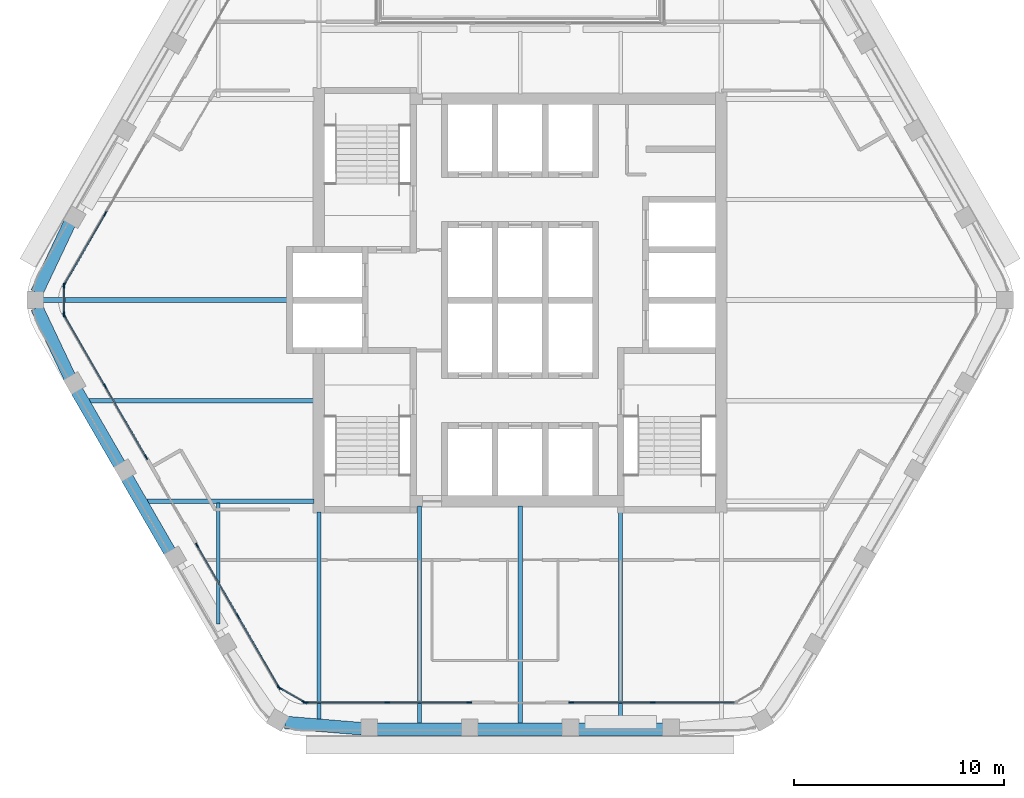
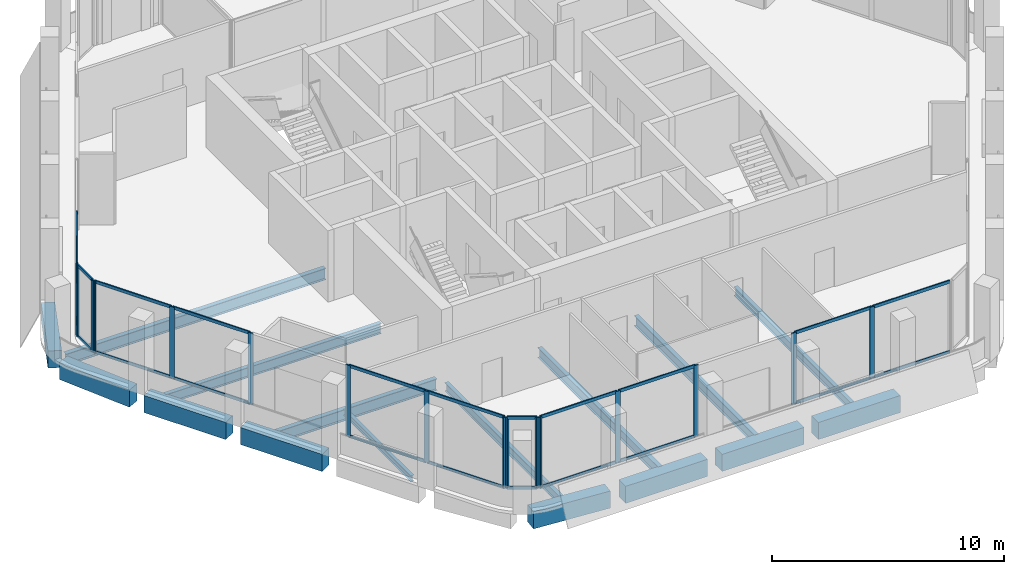
# One storey, part 2 of 16: 39 members, 16 beams, 7 elements without a shape of their own.
"""IFC4 building model written with IfcOpenShell, lengths in metres."""

from ifc_helpers import new_model, si_unit, direction, frame, origin, origin_2d, place, context, subcontext, project, spatial, rectangle, i_section, extrude, material, material_profile, profile_set, type_object, element, aggregate, save


model = new_model("IFC4")

# Units and contexts
model_context = context("Model", 3, precision=1e-05, world=origin(), true_north=direction((0.0, 1.0)))
body_context = subcontext(model_context, "Body", "Model", "MODEL_VIEW")
ifc_project = project(units=[si_unit("LENGTHUNIT", "METRE"), si_unit("AREAUNIT", "SQUARE_METRE"), si_unit("VOLUMEUNIT", "CUBIC_METRE"), si_unit("PLANEANGLEUNIT", "RADIAN"), si_unit("MASSUNIT", "GRAM", prefix="KILO")], contexts=[model_context])

# Site, building, storey
site_placement = place(None, origin())
site = spatial("IfcSite", under=ifc_project, at=site_placement, CompositionType="ELEMENT")
building_placement = place(site_placement, origin())
building = spatial("IfcBuilding", under=site, at=building_placement, Name="Kolab Exchange Tower", CompositionType="ELEMENT")
storey_placement = place(building_placement, frame((0.0, 0.0, 269.60009765625)))
storey = spatial("IfcBuildingStorey", under=building, at=storey_placement, Name="L60", CompositionType="ELEMENT", Elevation=269.60009765625)

# Beams
ifc_material_1 = material(Name="Steel S355", Category="steel")
ifc_material_profile_1 = material_profile(ifc_material_1, i_section(OverallWidth=0.1650390625, OverallDepth=0.31005859375, WebThickness=0.005859375, FlangeThickness=0.009765625, at=origin_2d()), Name="W310X39")
ifc_profile_set_1 = profile_set([ifc_material_profile_1], Name="Steel S355")
beam_type_1 = type_object("IfcBeamType", Name="FLOOR BEAM W310X39", PredefinedType="BEAM", material=ifc_profile_set_1)
beam_1_placement = place(storey_placement, frame((-14.39990234375, -15.4677734375, -0.30517578125), z_axis=(0.0, 1.0, 0.0), x_axis=(-1.0, 0.0, 0.0)))
element("IfcBeam", 1, at=beam_1_placement, inside=storey, type_object=beam_type_1, Name="beam/L60/fr/003", PredefinedType="BEAM", context=body_context, shape_type="SweptSolid", body=[
    extrude(i_section(OverallWidth=0.1650390625, OverallDepth=0.31005859375, WebThickness=0.005859375, FlangeThickness=0.009765625, at=origin_2d()), origin(), (0.0, 0.0, 1.0), 5.793701171875),
])
ifc_material_profile_2 = material_profile(ifc_material_1, i_section(OverallWidth=0.18994140625, OverallDepth=0.45703125, WebThickness=0.009033203125, FlangeThickness=0.014404296875, at=origin_2d()), Name="W460X74")
ifc_profile_set_2 = profile_set([ifc_material_profile_2], Name="Steel S355")
beam_type_2 = type_object("IfcBeamType", Name="FLOOR BEAM W460X74", PredefinedType="BEAM", material=ifc_profile_set_2)
beam_2_placement = place(storey_placement, frame((-9.60009765625, -20.027099609375, -0.378662109375), z_axis=(0.0, 1.0, 0.0), x_axis=(-1.0, 0.0, 0.0)))
element("IfcBeam", 2, at=beam_2_placement, inside=storey, type_object=beam_type_2, Name="beam/L60/fr/005", PredefinedType="BEAM", context=body_context, shape_type="SweptSolid", body=[
    extrude(i_section(OverallWidth=0.18994140625, OverallDepth=0.45703125, WebThickness=0.009033203125, FlangeThickness=0.014404296875, at=origin_2d()), origin(), (0.0, 0.0, 1.0), 9.9169921875),
])
beam_3_placement = place(storey_placement, frame((4.800048828125, -20.224609375, -0.378662109375), z_axis=(0.0, 1.0, 0.0), x_axis=(-1.0, 0.0, 0.0)))
element("IfcBeam", 3, at=beam_3_placement, inside=storey, type_object=beam_type_2, Name="beam/L60/fr/011", PredefinedType="BEAM", context=body_context, shape_type="SweptSolid", body=[
    extrude(i_section(OverallWidth=0.18994140625, OverallDepth=0.45703125, WebThickness=0.009033203125, FlangeThickness=0.014404296875, at=origin_2d()), origin(), (0.0, 0.0, 1.0), 10.114501953125),
])
ifc_material_profile_3 = material_profile(ifc_material_1, i_section(OverallWidth=0.208984375, OverallDepth=0.532958984375, WebThickness=0.01025390625, FlangeThickness=0.015625, at=origin_2d()), Name="W530X92")
ifc_profile_set_3 = profile_set([ifc_material_profile_3], Name="Steel S355")
beam_type_3 = type_object("IfcBeamType", Name="FLOOR BEAM W530X92", PredefinedType="BEAM", material=ifc_profile_set_3)
beam_4_placement = place(storey_placement, frame((-20.575927734375, -4.800048828125, -0.41650390625), z_axis=(1.0, 0.0, 0.0), x_axis=(0.0, 1.0, 0.0)))
element("IfcBeam", 4, at=beam_4_placement, inside=storey, type_object=beam_type_3, Name="beam/L60/fr/001", PredefinedType="BEAM", context=body_context, shape_type="SweptSolid", body=[
    extrude(i_section(OverallWidth=0.208984375, OverallDepth=0.532958984375, WebThickness=0.01025390625, FlangeThickness=0.015625, at=origin_2d()), origin(), (0.0, 0.0, 1.0), 10.740966796875),
])
for number, where, z_axis, x_axis, name in (
    (5, (-4.800048828125, -20.224609375, -0.41650390625), (0.0, 1.0, 0.0), (-1.0, 0.0, 0.0), "beam/L60/fr/007"),
    (6, (0.0, -20.224609375, -0.41650390625), (0.0, 1.0, 0.0), (-1.0, 0.0, 0.0), "beam/L60/fr/009"),
):
    element("IfcBeam", number, at=place(storey_placement, frame(where, z_axis=z_axis, x_axis=x_axis)), inside=storey, type_object=beam_type_3, Name=name, PredefinedType="BEAM", context=body_context, shape_type="SweptSolid", body=[
        extrude(i_section(OverallWidth=0.208984375, OverallDepth=0.532958984375, WebThickness=0.01025390625, FlangeThickness=0.015625, at=origin_2d()), origin(), (0.0, 0.0, 1.0), 10.3896484375),
    ])
ifc_material_profile_4 = material_profile(ifc_material_1, i_section(OverallWidth=0.22802734375, OverallDepth=0.60791015625, WebThickness=0.01123046875, FlangeThickness=0.017333984375, at=origin_2d()), Name="W610X113")
ifc_profile_set_4 = profile_set([ifc_material_profile_4], Name="Steel S355")
beam_type_4 = type_object("IfcBeamType", Name="FLOOR BEAM W610X113", PredefinedType="BEAM", material=ifc_profile_set_4)
beam_5_placement = place(storey_placement, frame((-22.77587890625, 0.0, -0.4541015625), z_axis=(1.0, 0.0, 0.0), x_axis=(0.0, 1.0, 0.0)))
element("IfcBeam", 7, at=beam_5_placement, inside=storey, type_object=beam_type_4, Name="beam/L60/fr/000", PredefinedType="BEAM", context=body_context, shape_type="SweptSolid", body=[
    extrude(i_section(OverallWidth=0.22802734375, OverallDepth=0.60791015625, WebThickness=0.01123046875, FlangeThickness=0.017333984375, at=origin_2d()), origin(), (0.0, 0.0, 1.0), 12.94091796875),
])
ifc_material_profile_5 = material_profile(ifc_material_1, i_section(OverallWidth=0.22802734375, OverallDepth=0.60791015625, WebThickness=0.01123046875, FlangeThickness=0.017333984375, at=origin_2d()), Name="W610X113")
ifc_profile_set_5 = profile_set([ifc_material_profile_5], Name="Steel S355")
beam_type_5 = type_object("IfcBeamType", Name="FLOOR GIRDER W610X113", PredefinedType="BEAM", material=ifc_profile_set_5)
beam_6_placement = place(storey_placement, frame((-17.8046875, -9.60009765625, -0.4541015625), z_axis=(1.0, 0.0, 0.0), x_axis=(0.0, 1.0, 0.0)))
element("IfcBeam", 8, at=beam_6_placement, inside=storey, type_object=beam_type_5, Name="beam/L60/gd/000", PredefinedType="BEAM", context=body_context, shape_type="SweptSolid", body=[
    extrude(i_section(OverallWidth=0.22802734375, OverallDepth=0.60791015625, WebThickness=0.01123046875, FlangeThickness=0.017333984375, at=origin_2d()), origin(), (0.0, 0.0, 1.0), 7.9697265625),
])
ifc_material_2 = material(Name="Concrete C50/60", Category="concrete")
ifc_material_profile_6 = material_profile(ifc_material_2, rectangle(XDim=0.60009765625, YDim=0.89990234375, at=origin_2d()), Name="RC600X900")
ifc_profile_set_6 = profile_set([ifc_material_profile_6], Name="Concrete C50/60")
beam_type_6 = type_object("IfcBeamType", Name="SPANDREL BEAM 600X900 C50/60", PredefinedType="BEAM", material=ifc_profile_set_6)
for number, where, z_axis, x_axis, name in (
    (9, (6.840087890625, -20.484619140625, -0.60009765625), (-1.0, 0.0, 0.0), (0.0, -1.0, 0.0), "beam/L60/sp/F4-02"),
    (10, (2.0400390625, -20.484619140625, -0.60009765625), (-1.0, 0.0, 0.0), (0.0, -1.0, 0.0), "beam/L60/sp/F4-03"),
    (11, (-2.760009765625, -20.484619140625, -0.60009765625), (-1.0, 0.0, 0.0), (0.0, -1.0, 0.0), "beam/L60/sp/F4-04"),
):
    element("IfcBeam", number, at=place(storey_placement, frame(where, z_axis=z_axis, x_axis=x_axis)), inside=storey, type_object=beam_type_6, Name=name, PredefinedType="BEAM", context=body_context, shape_type="SweptSolid", body=[
        extrude(rectangle(XDim=0.60009765625, YDim=0.89990234375, at=origin_2d()), origin(), (0.0, 0.0, 1.0), 4.080078125),
    ])
beam_7_placement = place(storey_placement, frame((-7.56005859375, -20.455078125, -0.60009765625), z_axis=(-0.996666751878, 0.081580547323, 0.0), x_axis=(-0.081580547323, -0.996666751878, 0.0)))
element("IfcBeam", 12, at=beam_7_placement, inside=storey, type_object=beam_type_6, Name="beam/L60/sp/F4-05", PredefinedType="BEAM", context=body_context, shape_type="SweptSolid", body=[
    extrude(rectangle(XDim=0.60009765625, YDim=0.89990234375, at=origin_2d()), origin(), (0.0, 0.0, 1.0), 3.6689453125),
])
for number, where, z_axis, x_axis, name in (
    (13, (-16.72021484375, -12.009033203125, -0.60009765625), (-0.500000428765, 0.866025156237, 0.0), (-0.866025156237, -0.500000428765, 0.0), "beam/L60/sp/F5-03"),
    (14, (-19.1201171875, -7.85205078125, -0.60009765625), (-0.500000428765, 0.866025156237, 0.0), (-0.866025156237, -0.500000428765, 0.0), "beam/L60/sp/F5-04"),
):
    element("IfcBeam", number, at=place(storey_placement, frame(where, z_axis=z_axis, x_axis=x_axis)), inside=storey, type_object=beam_type_6, Name=name, PredefinedType="BEAM", context=body_context, shape_type="SweptSolid", body=[
        extrude(rectangle(XDim=0.60009765625, YDim=0.89990234375, at=origin_2d()), origin(), (0.0, 0.0, 1.0), 4.080078125),
    ])
for number, where, z_axis, x_axis, name in (
    (15, (-21.49462890625, -3.68017578125, -0.60009765625), (-0.427677251998, 0.903931506323, 0.0), (-0.903931506323, -0.427677251998, 0.0), "beam/L60/sp/F5-05"),
    (16, (-23.063720703125, 0.36376953125, -0.60009765625), (0.427677251998, 0.903931506323, 0.0), (-0.903931506323, 0.427677251998, 0.0), "beam/L60/sp/F6-01"),
):
    element("IfcBeam", number, at=place(storey_placement, frame(where, z_axis=z_axis, x_axis=x_axis)), inside=storey, type_object=beam_type_6, Name=name, PredefinedType="BEAM", context=body_context, shape_type="SweptSolid", body=[
        extrude(rectangle(XDim=0.60009765625, YDim=0.89990234375, at=origin_2d()), origin(), (0.0, 0.0, 1.0), 3.6689453125),
    ])

# Curtain wall, members
ifc_material_3 = material(Name="Aluminium EN AW-6063 T6", Category="aluminium")
curtain_wall_type = type_object("IfcCurtainWallType", Name="UNITISED HIGH ZONE CURTAIN WALL", PredefinedType="NOTDEFINED", material=ifc_material_3)
curtain_wall_1_placement = place(storey_placement, origin())
curtain_wall_1 = element("IfcCurtainWall", 17, at=curtain_wall_1_placement, inside=storey, type_object=curtain_wall_type, Name="cw/L60/F4-1", PredefinedType="NOTDEFINED")
ifc_material_profile_7 = material_profile(ifc_material_3, rectangle(XDim=0.06005859375, YDim=0.239990234375, at=origin_2d()), Name="RECT 60X240")
ifc_profile_set_7 = profile_set([ifc_material_profile_7], Name="Aluminium EN AW-6063 T6")
member_type_1 = type_object("IfcMemberType", Name="UNITISED HIGH ZONE MULLION 60 X 240", PredefinedType="MULLION", material=ifc_profile_set_7)
member_1_placement = place(storey_placement, frame((6.333984375, -19.20458984375, 0.0), z_axis=(0.0, 0.0, 1.0), x_axis=(0.0, -1.0, 0.0)))
member_1 = element("IfcMember", 18, at=member_1_placement, type_object=member_type_1, Name="CW4 mullion 2", PredefinedType="MULLION", context=body_context, shape_type="SweptSolid", body=[
    extrude(rectangle(XDim=0.06005859375, YDim=0.239990234375, at=origin_2d()), origin(), (0.0, 0.0, 1.0), 3.75),
])
member_2_placement = place(storey_placement, frame((2.429931640625, -19.20458984375, 0.0), z_axis=(0.0, 0.0, 1.0), x_axis=(0.0, -1.0, 0.0)))
member_2 = element("IfcMember", 19, at=member_2_placement, type_object=member_type_1, Name="CW4 mullion 3", PredefinedType="MULLION", context=body_context, shape_type="SweptSolid", body=[
    extrude(rectangle(XDim=0.06005859375, YDim=0.239990234375, at=origin_2d()), origin(), (0.0, 0.0, 1.0), 3.75),
])

curtain_wall_2_placement = place(storey_placement, origin())
curtain_wall_2 = element("IfcCurtainWall", 20, at=curtain_wall_2_placement, inside=storey, type_object=curtain_wall_type, Name="cw/L60/F4-2", PredefinedType="NOTDEFINED")
member_3_placement = place(storey_placement, frame((-2.429931640625, -19.20458984375, 0.0), z_axis=(0.0, 0.0, 1.0), x_axis=(0.0, -1.0, 0.0)))
member_3 = element("IfcMember", 21, at=member_3_placement, type_object=member_type_1, Name="CW4 mullion 1", PredefinedType="MULLION", context=body_context, shape_type="SweptSolid", body=[
    extrude(rectangle(XDim=0.06005859375, YDim=0.239990234375, at=origin_2d()), origin(), (0.0, 0.0, 1.0), 3.75),
])
member_4_placement = place(storey_placement, frame((-6.333984375, -19.20458984375, 0.0), z_axis=(0.0, 0.0, 1.0), x_axis=(0.0, -1.0, 0.0)))
member_4 = element("IfcMember", 22, at=member_4_placement, type_object=member_type_1, Name="CW4 mullion 2", PredefinedType="MULLION", context=body_context, shape_type="SweptSolid", body=[
    extrude(rectangle(XDim=0.06005859375, YDim=0.239990234375, at=origin_2d()), origin(), (0.0, 0.0, 1.0), 3.75),
])
member_5_placement = place(storey_placement, frame((-10.238037109375, -19.20458984375, 0.0), z_axis=(0.0, 0.0, 1.0), x_axis=(0.0, -1.0, 0.0)))
member_5 = element("IfcMember", 23, at=member_5_placement, type_object=member_type_1, Name="CW4 mullion 3", PredefinedType="MULLION", context=body_context, shape_type="SweptSolid", body=[
    extrude(rectangle(XDim=0.06005859375, YDim=0.239990234375, at=origin_2d()), origin(), (0.0, 0.0, 1.0), 3.75),
])

curtain_wall_3_placement = place(storey_placement, origin())
curtain_wall_3 = element("IfcCurtainWall", 24, at=curtain_wall_3_placement, inside=storey, type_object=curtain_wall_type, Name="cw/L60/F5-1", PredefinedType="NOTDEFINED")
member_6_placement = place(storey_placement, frame((-11.5126953125, -18.46875, 0.0), z_axis=(0.0, 0.0, 1.0), x_axis=(-0.866025385493, -0.500000031681, 0.0)))
member_6 = element("IfcMember", 25, at=member_6_placement, type_object=member_type_1, Name="CW4 mullion 1", PredefinedType="MULLION", context=body_context, shape_type="SweptSolid", body=[
    extrude(rectangle(XDim=0.06005859375, YDim=0.239990234375, at=origin_2d()), origin(), (0.0, 0.0, 1.0), 3.75),
])
member_7_placement = place(storey_placement, frame((-13.464599609375, -15.087646484375, 0.0), z_axis=(0.0, 0.0, 1.0), x_axis=(-0.866025385493, -0.500000031681, 0.0)))
member_7 = element("IfcMember", 26, at=member_7_placement, type_object=member_type_1, Name="CW4 mullion 2", PredefinedType="MULLION", context=body_context, shape_type="SweptSolid", body=[
    extrude(rectangle(XDim=0.06005859375, YDim=0.239990234375, at=origin_2d()), origin(), (0.0, 0.0, 1.0), 3.75),
])
member_8_placement = place(storey_placement, frame((-15.416748046875, -11.706787109375, 0.0), z_axis=(0.0, 0.0, 1.0), x_axis=(-0.866025385493, -0.500000031681, 0.0)))
member_8 = element("IfcMember", 27, at=member_8_placement, type_object=member_type_1, Name="CW4 mullion 3", PredefinedType="MULLION", context=body_context, shape_type="SweptSolid", body=[
    extrude(rectangle(XDim=0.06005859375, YDim=0.239990234375, at=origin_2d()), origin(), (0.0, 0.0, 1.0), 3.75),
])

curtain_wall_4_placement = place(storey_placement, origin())
curtain_wall_4 = element("IfcCurtainWall", 28, at=curtain_wall_4_placement, inside=storey, type_object=curtain_wall_type, Name="cw/L60/F5-2", PredefinedType="NOTDEFINED")
member_9_placement = place(storey_placement, frame((-17.8466796875, -7.497802734375, 0.0), z_axis=(0.0, 0.0, 1.0), x_axis=(-0.866025440524, -0.499999936366, 0.0)))
member_9 = element("IfcMember", 29, at=member_9_placement, type_object=member_type_1, Name="CW4 mullion 1", PredefinedType="MULLION", context=body_context, shape_type="SweptSolid", body=[
    extrude(rectangle(XDim=0.06005859375, YDim=0.239990234375, at=origin_2d()), origin(), (0.0, 0.0, 1.0), 3.75),
])
member_10_placement = place(storey_placement, frame((-19.798583984375, -4.116943359375, 0.0), z_axis=(0.0, 0.0, 1.0), x_axis=(-0.866025440524, -0.499999936366, 0.0)))
member_10 = element("IfcMember", 30, at=member_10_placement, type_object=member_type_1, Name="CW4 mullion 2", PredefinedType="MULLION", context=body_context, shape_type="SweptSolid", body=[
    extrude(rectangle(XDim=0.06005859375, YDim=0.239990234375, at=origin_2d()), origin(), (0.0, 0.0, 1.0), 3.75),
])
member_11_placement = place(storey_placement, frame((-21.750732421875, -0.736083984375, 0.0), z_axis=(0.0, 0.0, 1.0), x_axis=(-0.866025440524, -0.499999936366, 0.0)))
member_11 = element("IfcMember", 31, at=member_11_placement, type_object=member_type_1, Name="CW4 mullion 3", PredefinedType="MULLION", context=body_context, shape_type="SweptSolid", body=[
    extrude(rectangle(XDim=0.06005859375, YDim=0.239990234375, at=origin_2d()), origin(), (0.0, 0.0, 1.0), 3.75),
])

curtain_wall_5_placement = place(storey_placement, origin())
curtain_wall_5 = element("IfcCurtainWall", 32, at=curtain_wall_5_placement, inside=storey, type_object=curtain_wall_type, Name="cw/L60/F6-1", PredefinedType="NOTDEFINED")
member_12_placement = place(storey_placement, frame((-21.750732421875, 0.736083984375, 0.0), z_axis=(0.0, 0.0, 1.0), x_axis=(-0.866025440524, 0.499999936366, 0.0)))
member_12 = element("IfcMember", 33, at=member_12_placement, type_object=member_type_1, Name="CW4 mullion 1", PredefinedType="MULLION", context=body_context, shape_type="SweptSolid", body=[
    extrude(rectangle(XDim=0.06005859375, YDim=0.239990234375, at=origin_2d()), origin(), (0.0, 0.0, 1.0), 3.75),
])
member_13_placement = place(storey_placement, frame((-19.798583984375, 4.116943359375, 0.0), z_axis=(0.0, 0.0, 1.0), x_axis=(-0.866025440524, 0.499999936366, 0.0)))
member_13 = element("IfcMember", 34, at=member_13_placement, type_object=member_type_1, Name="CW4 mullion 2", PredefinedType="MULLION", context=body_context, shape_type="SweptSolid", body=[
    extrude(rectangle(XDim=0.06005859375, YDim=0.239990234375, at=origin_2d()), origin(), (0.0, 0.0, 1.0), 3.75),
])

curtain_wall_6_placement = place(storey_placement, origin())
curtain_wall_6 = element("IfcCurtainWall", 35, at=curtain_wall_6_placement, inside=storey, type_object=curtain_wall_type, Name="cw/L60/F4F5-corner", PredefinedType="NOTDEFINED")
member_14_placement = place(storey_placement, frame((-10.2939453125, -19.189697265625, 0.0), z_axis=(0.0, 0.0, 1.0), x_axis=(-0.50000002237, -0.866025390869, 0.0)))
member_14 = element("IfcMember", 36, at=member_14_placement, type_object=member_type_1, Name="CW4 mullion 1", PredefinedType="MULLION", context=body_context, shape_type="SweptSolid", body=[
    extrude(rectangle(XDim=0.06005859375, YDim=0.239990234375, at=origin_2d()), origin(), (0.0, 0.0, 1.0), 3.75),
])
member_15_placement = place(storey_placement, frame((-11.4716796875, -18.509521484375, 0.0), z_axis=(0.0, 0.0, 1.0), x_axis=(-0.50000002237, -0.866025390869, 0.0)))
member_15 = element("IfcMember", 37, at=member_15_placement, type_object=member_type_1, Name="CW4 mullion 2", PredefinedType="MULLION", context=body_context, shape_type="SweptSolid", body=[
    extrude(rectangle(XDim=0.06005859375, YDim=0.239990234375, at=origin_2d()), origin(), (0.0, 0.0, 1.0), 3.75),
])

curtain_wall_7_placement = place(storey_placement, origin())
curtain_wall_7 = element("IfcCurtainWall", 38, at=curtain_wall_7_placement, inside=storey, type_object=curtain_wall_type, Name="cw/L60/F5F6-corner", PredefinedType="NOTDEFINED")
member_16_placement = place(storey_placement, frame((-21.765625, -0.679931640625, 0.0), z_axis=(0.0, 0.0, 1.0), x_axis=(-1.0, 0.0, 0.0)))
member_16 = element("IfcMember", 39, at=member_16_placement, type_object=member_type_1, Name="CW4 mullion 1", PredefinedType="MULLION", context=body_context, shape_type="SweptSolid", body=[
    extrude(rectangle(XDim=0.06005859375, YDim=0.239990234375, at=origin_2d()), origin(), (0.0, 0.0, 1.0), 3.75),
])
member_17_placement = place(storey_placement, frame((-21.765625, 0.679931640625, 0.0), z_axis=(0.0, 0.0, 1.0), x_axis=(-1.0, 0.0, 0.0)))
member_17 = element("IfcMember", 40, at=member_17_placement, type_object=member_type_1, Name="CW4 mullion 2", PredefinedType="MULLION", context=body_context, shape_type="SweptSolid", body=[
    extrude(rectangle(XDim=0.06005859375, YDim=0.239990234375, at=origin_2d()), origin(), (0.0, 0.0, 1.0), 3.75),
])

# Member
ifc_material_profile_8 = material_profile(ifc_material_3, rectangle(XDim=0.06005859375, YDim=0.159912109375, at=origin_2d()), Name="RECT 60X160")
ifc_profile_set_8 = profile_set([ifc_material_profile_8], Name="Aluminium EN AW-6063 T6")
member_type_2 = type_object("IfcMemberType", Name="UNITISED HIGH ZONE TRANSOM 60 X 160", PredefinedType="USERDEFINED", material=ifc_profile_set_8)
member_18_placement = place(storey_placement, frame((10.2080078125, -19.20458984375, 0.02978515625), z_axis=(-1.0, 0.0, 0.0), x_axis=(0.0, -1.0, 0.0)))
member_18 = element("IfcMember", 41, at=member_18_placement, type_object=member_type_2, Name="CW4 transom 1.1", ObjectType="TRANSOM", PredefinedType="USERDEFINED", context=body_context, shape_type="SweptSolid", body=[
    extrude(rectangle(XDim=0.06005859375, YDim=0.159912109375, at=origin_2d()), origin(), (0.0, 0.0, 1.0), 3.843994140625),
])

member_19_placement = place(storey_placement, frame((10.2080078125, -19.20458984375, 3.719970703125), z_axis=(-1.0, 0.0, 0.0), x_axis=(0.0, -1.0, 0.0)))
member_19 = element("IfcMember", 42, at=member_19_placement, type_object=member_type_2, Name="CW4 transom 1.2", ObjectType="TRANSOM", PredefinedType="USERDEFINED", context=body_context, shape_type="SweptSolid", body=[
    extrude(rectangle(XDim=0.06005859375, YDim=0.159912109375, at=origin_2d()), origin(), (0.0, 0.0, 1.0), 3.843994140625),
])

member_20_placement = place(storey_placement, frame((6.303955078125, -19.20458984375, 0.02978515625), z_axis=(-1.0, 0.0, 0.0), x_axis=(0.0, -1.0, 0.0)))
member_20 = element("IfcMember", 43, at=member_20_placement, type_object=member_type_2, Name="CW4 transom 2.1", ObjectType="TRANSOM", PredefinedType="USERDEFINED", context=body_context, shape_type="SweptSolid", body=[
    extrude(rectangle(XDim=0.06005859375, YDim=0.159912109375, at=origin_2d()), origin(), (0.0, 0.0, 1.0), 3.843994140625),
])

member_21_placement = place(storey_placement, frame((6.303955078125, -19.20458984375, 3.719970703125), z_axis=(-1.0, 0.0, 0.0), x_axis=(0.0, -1.0, 0.0)))
member_21 = element("IfcMember", 44, at=member_21_placement, type_object=member_type_2, Name="CW4 transom 2.2", ObjectType="TRANSOM", PredefinedType="USERDEFINED", context=body_context, shape_type="SweptSolid", body=[
    extrude(rectangle(XDim=0.06005859375, YDim=0.159912109375, at=origin_2d()), origin(), (0.0, 0.0, 1.0), 3.843994140625),
])

aggregate(curtain_wall_1, [member_1, member_2, member_18, member_19, member_20, member_21])

member_22_placement = place(storey_placement, frame((-2.4599609375, -19.20458984375, 0.02978515625), z_axis=(-1.0, 0.0, 0.0), x_axis=(0.0, -1.0, 0.0)))
member_22 = element("IfcMember", 45, at=member_22_placement, type_object=member_type_2, Name="CW4 transom 1.1", ObjectType="TRANSOM", PredefinedType="USERDEFINED", context=body_context, shape_type="SweptSolid", body=[
    extrude(rectangle(XDim=0.06005859375, YDim=0.159912109375, at=origin_2d()), origin(), (0.0, 0.0, 1.0), 3.843994140625),
])

member_23_placement = place(storey_placement, frame((-2.4599609375, -19.20458984375, 3.719970703125), z_axis=(-1.0, 0.0, 0.0), x_axis=(0.0, -1.0, 0.0)))
member_23 = element("IfcMember", 46, at=member_23_placement, type_object=member_type_2, Name="CW4 transom 1.2", ObjectType="TRANSOM", PredefinedType="USERDEFINED", context=body_context, shape_type="SweptSolid", body=[
    extrude(rectangle(XDim=0.06005859375, YDim=0.159912109375, at=origin_2d()), origin(), (0.0, 0.0, 1.0), 3.843994140625),
])

member_24_placement = place(storey_placement, frame((-6.364013671875, -19.20458984375, 0.02978515625), z_axis=(-1.0, 0.0, 0.0), x_axis=(0.0, -1.0, 0.0)))
member_24 = element("IfcMember", 47, at=member_24_placement, type_object=member_type_2, Name="CW4 transom 2.1", ObjectType="TRANSOM", PredefinedType="USERDEFINED", context=body_context, shape_type="SweptSolid", body=[
    extrude(rectangle(XDim=0.06005859375, YDim=0.159912109375, at=origin_2d()), origin(), (0.0, 0.0, 1.0), 3.843994140625),
])

member_25_placement = place(storey_placement, frame((-6.364013671875, -19.20458984375, 3.719970703125), z_axis=(-1.0, 0.0, 0.0), x_axis=(0.0, -1.0, 0.0)))
member_25 = element("IfcMember", 48, at=member_25_placement, type_object=member_type_2, Name="CW4 transom 2.2", ObjectType="TRANSOM", PredefinedType="USERDEFINED", context=body_context, shape_type="SweptSolid", body=[
    extrude(rectangle(XDim=0.06005859375, YDim=0.159912109375, at=origin_2d()), origin(), (0.0, 0.0, 1.0), 3.843994140625),
])

aggregate(curtain_wall_2, [member_3, member_4, member_5, member_22, member_23, member_24, member_25])

member_26_placement = place(storey_placement, frame((-11.527587890625, -18.442626953125, 0.02978515625), z_axis=(-0.500039492609, 0.866002601515, 0.0), x_axis=(-0.866002601515, -0.500039492609, 0.0)))
member_26 = element("IfcMember", 49, at=member_26_placement, type_object=member_type_2, Name="CW4 transom 1.1", ObjectType="TRANSOM", PredefinedType="USERDEFINED", context=body_context, shape_type="SweptSolid", body=[
    extrude(rectangle(XDim=0.06005859375, YDim=0.159912109375, at=origin_2d()), origin(), (0.0, 0.0, 1.0), 3.843994140625),
])

member_27_placement = place(storey_placement, frame((-11.527587890625, -18.442626953125, 3.719970703125), z_axis=(-0.500039492609, 0.866002601515, 0.0), x_axis=(-0.866002601515, -0.500039492609, 0.0)))
member_27 = element("IfcMember", 50, at=member_27_placement, type_object=member_type_2, Name="CW4 transom 1.2", ObjectType="TRANSOM", PredefinedType="USERDEFINED", context=body_context, shape_type="SweptSolid", body=[
    extrude(rectangle(XDim=0.06005859375, YDim=0.159912109375, at=origin_2d()), origin(), (0.0, 0.0, 1.0), 3.843994140625),
])

member_28_placement = place(storey_placement, frame((-13.479736328125, -15.061767578125, 0.02978515625), z_axis=(-0.499964356602, 0.866045981532, 0.0), x_axis=(-0.866045981532, -0.499964356602, 0.0)))
member_28 = element("IfcMember", 51, at=member_28_placement, type_object=member_type_2, Name="CW4 transom 2.1", ObjectType="TRANSOM", PredefinedType="USERDEFINED", context=body_context, shape_type="SweptSolid", body=[
    extrude(rectangle(XDim=0.06005859375, YDim=0.159912109375, at=origin_2d()), origin(), (0.0, 0.0, 1.0), 3.843994140625),
])

member_29_placement = place(storey_placement, frame((-13.479736328125, -15.061767578125, 3.719970703125), z_axis=(-0.499964356602, 0.866045981532, 0.0), x_axis=(-0.866045981532, -0.499964356602, 0.0)))
member_29 = element("IfcMember", 52, at=member_29_placement, type_object=member_type_2, Name="CW4 transom 2.2", ObjectType="TRANSOM", PredefinedType="USERDEFINED", context=body_context, shape_type="SweptSolid", body=[
    extrude(rectangle(XDim=0.06005859375, YDim=0.159912109375, at=origin_2d()), origin(), (0.0, 0.0, 1.0), 3.843994140625),
])

aggregate(curtain_wall_3, [member_6, member_7, member_8, member_26, member_27, member_28, member_29])

member_30_placement = place(storey_placement, frame((-17.861572265625, -7.471923828125, 0.02978515625), z_axis=(-0.500011990396, 0.866018481016, 0.0), x_axis=(-0.866018481016, -0.500011990396, 0.0)))
member_30 = element("IfcMember", 53, at=member_30_placement, type_object=member_type_2, Name="CW4 transom 1.1", ObjectType="TRANSOM", PredefinedType="USERDEFINED", context=body_context, shape_type="SweptSolid", body=[
    extrude(rectangle(XDim=0.06005859375, YDim=0.159912109375, at=origin_2d()), origin(), (0.0, 0.0, 1.0), 3.84423828125),
])

member_31_placement = place(storey_placement, frame((-17.861572265625, -7.471923828125, 3.719970703125), z_axis=(-0.500011990396, 0.866018481016, 0.0), x_axis=(-0.866018481016, -0.500011990396, 0.0)))
member_31 = element("IfcMember", 54, at=member_31_placement, type_object=member_type_2, Name="CW4 transom 1.2", ObjectType="TRANSOM", PredefinedType="USERDEFINED", context=body_context, shape_type="SweptSolid", body=[
    extrude(rectangle(XDim=0.06005859375, YDim=0.159912109375, at=origin_2d()), origin(), (0.0, 0.0, 1.0), 3.84423828125),
])

member_32_placement = place(storey_placement, frame((-19.813720703125, -4.0908203125, 0.02978515625), z_axis=(-0.499991857942, 0.866030104553, 0.0), x_axis=(-0.866030104553, -0.499991857942, 0.0)))
member_32 = element("IfcMember", 55, at=member_32_placement, type_object=member_type_2, Name="CW4 transom 2.1", ObjectType="TRANSOM", PredefinedType="USERDEFINED", context=body_context, shape_type="SweptSolid", body=[
    extrude(rectangle(XDim=0.06005859375, YDim=0.159912109375, at=origin_2d()), origin(), (0.0, 0.0, 1.0), 3.84375),
])

member_33_placement = place(storey_placement, frame((-19.813720703125, -4.0908203125, 3.719970703125), z_axis=(-0.499991857942, 0.866030104553, 0.0), x_axis=(-0.866030104553, -0.499991857942, 0.0)))
member_33 = element("IfcMember", 56, at=member_33_placement, type_object=member_type_2, Name="CW4 transom 2.2", ObjectType="TRANSOM", PredefinedType="USERDEFINED", context=body_context, shape_type="SweptSolid", body=[
    extrude(rectangle(XDim=0.06005859375, YDim=0.159912109375, at=origin_2d()), origin(), (0.0, 0.0, 1.0), 3.84375),
])

aggregate(curtain_wall_4, [member_9, member_10, member_11, member_30, member_31, member_32, member_33])

member_34_placement = place(storey_placement, frame((-21.735595703125, 0.761962890625, 0.02978515625), z_axis=(0.499991857942, 0.866030104553, 0.0), x_axis=(-0.866030104553, 0.499991857942, 0.0)))
member_34 = element("IfcMember", 57, at=member_34_placement, type_object=member_type_2, Name="CW4 transom 1.1", ObjectType="TRANSOM", PredefinedType="USERDEFINED", context=body_context, shape_type="SweptSolid", body=[
    extrude(rectangle(XDim=0.06005859375, YDim=0.159912109375, at=origin_2d()), origin(), (0.0, 0.0, 1.0), 3.84375),
])

member_35_placement = place(storey_placement, frame((-21.735595703125, 0.761962890625, 3.719970703125), z_axis=(0.499991857942, 0.866030104553, 0.0), x_axis=(-0.866030104553, 0.499991857942, 0.0)))
member_35 = element("IfcMember", 58, at=member_35_placement, type_object=member_type_2, Name="CW4 transom 1.2", ObjectType="TRANSOM", PredefinedType="USERDEFINED", context=body_context, shape_type="SweptSolid", body=[
    extrude(rectangle(XDim=0.06005859375, YDim=0.159912109375, at=origin_2d()), origin(), (0.0, 0.0, 1.0), 3.84375),
])

aggregate(curtain_wall_5, [member_12, member_13, member_34, member_35])

member_36_placement = place(storey_placement, frame((-10.31982421875, -19.174560546875, 0.02978515625), z_axis=(-0.866085525409, 0.49989585183, 0.0), x_axis=(-0.49989585183, -0.866085525409, 0.0)))
member_36 = element("IfcMember", 59, at=member_36_placement, type_object=member_type_2, Name="CW4 transom 1.1", ObjectType="TRANSOM", PredefinedType="USERDEFINED", context=body_context, shape_type="SweptSolid", body=[
    extrude(rectangle(XDim=0.06005859375, YDim=0.159912109375, at=origin_2d()), origin(), (0.0, 0.0, 1.0), 1.300048828125),
])

member_37_placement = place(storey_placement, frame((-10.31982421875, -19.174560546875, 3.719970703125), z_axis=(-0.866085525409, 0.49989585183, 0.0), x_axis=(-0.49989585183, -0.866085525409, 0.0)))
member_37 = element("IfcMember", 60, at=member_37_placement, type_object=member_type_2, Name="CW4 transom 1.2", ObjectType="TRANSOM", PredefinedType="USERDEFINED", context=body_context, shape_type="SweptSolid", body=[
    extrude(rectangle(XDim=0.06005859375, YDim=0.159912109375, at=origin_2d()), origin(), (0.0, 0.0, 1.0), 1.300048828125),
])

aggregate(curtain_wall_6, [member_14, member_15, member_36, member_37])

member_38_placement = place(storey_placement, frame((-21.765625, -0.64990234375, 0.02978515625), z_axis=(0.0, 1.0, 0.0), x_axis=(-1.0, 0.0, 0.0)))
member_38 = element("IfcMember", 61, at=member_38_placement, type_object=member_type_2, Name="CW4 transom 1.1", ObjectType="TRANSOM", PredefinedType="USERDEFINED", context=body_context, shape_type="SweptSolid", body=[
    extrude(rectangle(XDim=0.06005859375, YDim=0.159912109375, at=origin_2d()), origin(), (0.0, 0.0, 1.0), 1.2998046875),
])

member_39_placement = place(storey_placement, frame((-21.765625, -0.64990234375, 3.719970703125), z_axis=(0.0, 1.0, 0.0), x_axis=(-1.0, 0.0, 0.0)))
member_39 = element("IfcMember", 62, at=member_39_placement, type_object=member_type_2, Name="CW4 transom 1.2", ObjectType="TRANSOM", PredefinedType="USERDEFINED", context=body_context, shape_type="SweptSolid", body=[
    extrude(rectangle(XDim=0.06005859375, YDim=0.159912109375, at=origin_2d()), origin(), (0.0, 0.0, 1.0), 1.2998046875),
])

aggregate(curtain_wall_7, [member_16, member_17, member_38, member_39])

save(model, "model.ifc")
